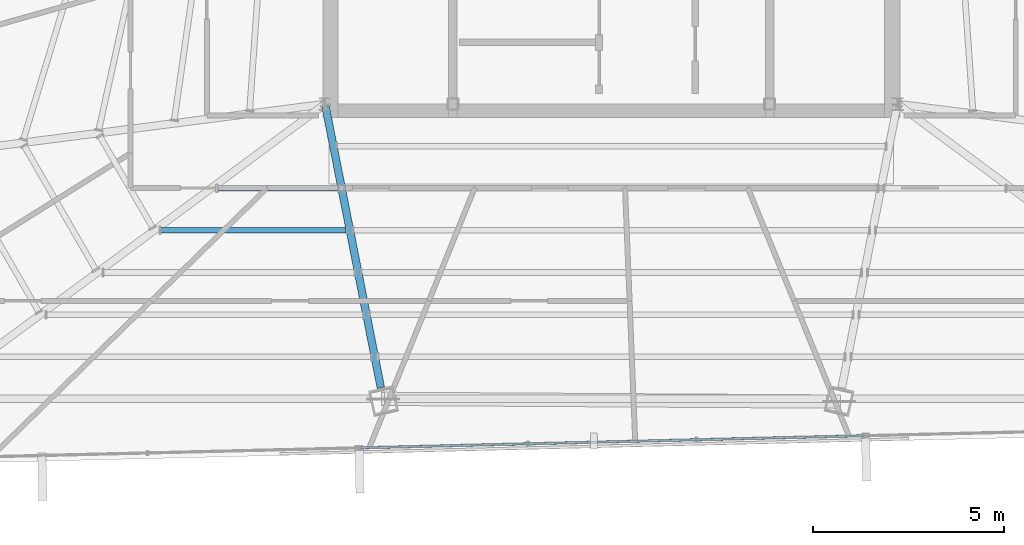
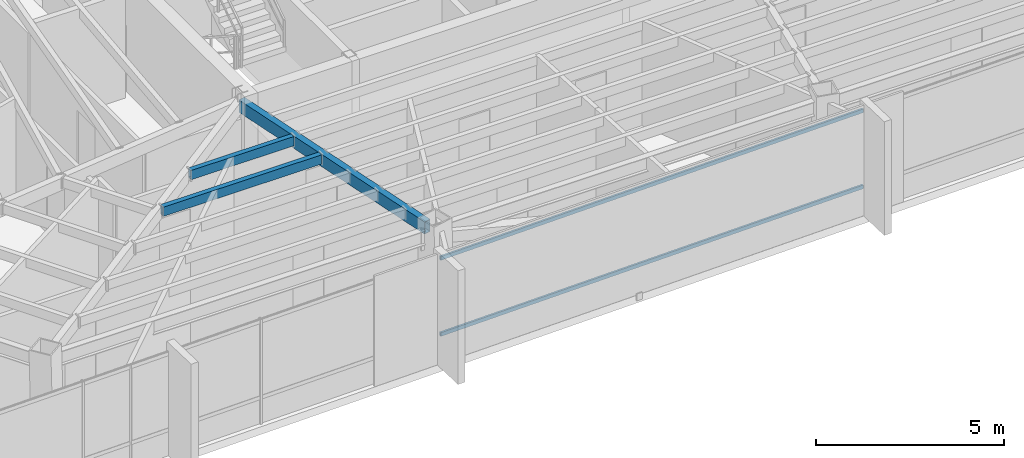
# One storey, part 12 of 48: 3 beams, 2 members, 1 element without a shape of its own.
"""IFC4 building model written with IfcOpenShell, lengths in metres."""

from ifc_helpers import new_model, si_unit, direction, frame, origin, origin_2d, place, context, subcontext, project, spatial, hollow_rectangle, extrude, source, transform, mapped, material, material_profile, profile_set, type_object, type_shapes, element, aggregate, save


model = new_model("IFC4")

# Units and contexts
model_context = context("Model", 3, precision=1e-05, world=origin(), true_north=direction((0.0, 1.0)))
body_context = subcontext(model_context, "Body", "Model", "MODEL_VIEW")
ifc_project = project(units=[si_unit("LENGTHUNIT", "METRE"), si_unit("AREAUNIT", "SQUARE_METRE"), si_unit("VOLUMEUNIT", "CUBIC_METRE"), si_unit("PLANEANGLEUNIT", "RADIAN"), si_unit("MASSUNIT", "GRAM", prefix="KILO")], contexts=[model_context])

# Site, building, storey
site_placement = place(None, origin())
site = spatial("IfcSite", under=ifc_project, at=site_placement, CompositionType="ELEMENT")
building_placement = place(site_placement, origin())
building = spatial("IfcBuilding", under=site, at=building_placement, Name="Caelisora Broadcast Tower", CompositionType="ELEMENT")
storey_placement = place(building_placement, frame((0.0, 0.0, 270.0)))
storey = spatial("IfcBuildingStorey", under=building, at=storey_placement, Name="L71", CompositionType="ELEMENT", Elevation=270.0)

# Beams
ifc_material_1 = material(Name="Steel Grade 350 (AS/NZS 1163 C350L0)", Category="steel")
ifc_material_profile_1 = material_profile(ifc_material_1, hollow_rectangle(XDim=0.199951171875, YDim=0.39990234375, WallThickness=0.012451171875, at=origin_2d()), Name="Steel Grade 350 (AS/NZS 1163 C350L0)")
ifc_profile_set_1 = profile_set([ifc_material_profile_1], Name="Steel Grade 350 (AS/NZS 1163 C350L0)")
beam_type_1 = type_object("IfcBeamType", Name="PG07", PredefinedType="BEAM", material=ifc_profile_set_1)
shared_shape_1 = source(origin(), body_context, "Body", "SweptSolid", [
    extrude(hollow_rectangle(XDim=0.199951171875, YDim=0.39990234375, WallThickness=0.012451171875, at=origin_2d()), origin(), (0.0, 0.0, 1.0), 7.515869140625),
])
type_shapes(beam_type_1, [shared_shape_1])
beam_1_placement = place(storey_placement, frame((30.51171875, 17.341064453125, 3.199951171875), z_axis=(0.192754240095, -0.981247065181, 0.0), x_axis=(0.981247065181, 0.192754240095, 0.0)))
element("IfcBeam", 1, at=beam_1_placement, inside=storey, type_object=beam_type_1, Name="L71 beam PG07", PredefinedType="BEAM", context=body_context, shape_type="MappedRepresentation", body=[
    mapped(shared_shape_1, transform((0.0, 0.0, 0.0), scale=1.0)),
])
ifc_material_profile_2 = material_profile(ifc_material_1, hollow_rectangle(XDim=0.14990234375, YDim=0.300048828125, WallThickness=0.010009765625, at=origin_2d()), Name="Steel Grade 350 (AS/NZS 1163 C350L0)")
ifc_profile_set_2 = profile_set([ifc_material_profile_2], Name="Steel Grade 350 (AS/NZS 1163 C350L0)")
beam_type_2 = type_object("IfcBeamType", Name="SB05", PredefinedType="JOIST", material=ifc_profile_set_2)
shared_shape_2 = source(origin(), body_context, "Body", "SweptSolid", [
    extrude(hollow_rectangle(XDim=0.14990234375, YDim=0.300048828125, WallThickness=0.010009765625, at=origin_2d()), origin(), (0.0, 0.0, 1.0), 3.154052734375),
])
beam_2_placement = place(storey_placement, frame((27.6806640625, 15.1923828125, 3.25), z_axis=(1.0, 0.0, 0.0), x_axis=(0.0, 1.0, 0.0)))
element("IfcBeam", 2, at=beam_2_placement, inside=storey, type_object=beam_type_2, Name="L71 beam SB05", PredefinedType="JOIST", context=body_context, shape_type="MappedRepresentation", body=[
    mapped(shared_shape_2, transform((0.0, 0.0, 0.0), scale=1.0)),
])
shared_shape_3 = source(origin(), body_context, "Body", "SweptSolid", [
    extrude(hollow_rectangle(XDim=0.14990234375, YDim=0.300048828125, WallThickness=0.010009765625, at=origin_2d()), origin(), (0.0, 0.0, 1.0), 4.86328125),
])
type_shapes(beam_type_2, [shared_shape_2, shared_shape_3])
beam_3_placement = place(storey_placement, frame((26.188232421875, 14.088623046875, 3.25), z_axis=(1.0, 0.0, 0.0), x_axis=(0.0, 1.0, 0.0)))
element("IfcBeam", 3, at=beam_3_placement, inside=storey, type_object=beam_type_2, Name="L71 beam SB05", PredefinedType="JOIST", context=body_context, shape_type="MappedRepresentation", body=[
    mapped(shared_shape_3, transform((0.0, 0.0, 0.0), scale=1.0)),
])

# Curtain wall, members
ifc_material_2 = material(Name="Unitised Aluminium Insulated Shadow-Box Spandrel Curtain Wall", Category="aluminium")
curtain_wall_type = type_object("IfcCurtainWallType", Name="CW-SP3", PredefinedType="NOTDEFINED", material=ifc_material_2)
curtain_wall_placement = place(storey_placement, origin())
curtain_wall = element("IfcCurtainWall", 4, at=curtain_wall_placement, inside=storey, type_object=curtain_wall_type, Name="L71 curtain wall CW-SP3", PredefinedType="NOTDEFINED")
ifc_material_3 = material(Name="Aluminium 6063-T6 Anodised Terracotta Bronze", Category="aluminium")
ifc_material_profile_3 = material_profile(ifc_material_3, hollow_rectangle(XDim=0.06005859375, YDim=0.1201171875, WallThickness=0.0029296875, at=origin_2d()), Name="Aluminium 6063-T6 Anodised Terracotta Bronze")
ifc_profile_set_3 = profile_set([ifc_material_profile_3], Name="Aluminium 6063-T6 Anodised Terracotta Bronze")
member_type = type_object("IfcMemberType", Name="CWT-03", PredefinedType="USERDEFINED", material=ifc_profile_set_3)
shared_shape_4 = source(origin(), body_context, "Body", "SweptSolid", [
    extrude(hollow_rectangle(XDim=0.06005859375, YDim=0.1201171875, WallThickness=0.0029296875, at=origin_2d()), origin(), (0.0, 0.0, 1.0), 13.168212890625),
])
type_shapes(member_type, [shared_shape_4])
member_1_placement = place(storey_placement, frame((44.607421875, 8.70703125, 0.85009765625), z_axis=(-0.999711280567, -0.024028223134, 0.0), x_axis=(0.024028223134, -0.999711280567, 0.0)))
member_1 = element("IfcMember", 5, at=member_1_placement, type_object=member_type, Name="L71-CW-B06 transom #1", ObjectType="TRANSOM", PredefinedType="USERDEFINED", context=body_context, shape_type="MappedRepresentation", body=[
    mapped(shared_shape_4, transform((0.0, 0.0, 0.0), scale=1.0)),
])
member_2_placement = place(storey_placement, frame((44.607421875, 8.70703125, 3.320068359375), z_axis=(-0.999711280567, -0.024028223134, 0.0), x_axis=(0.024028223134, -0.999711280567, 0.0)))
member_2 = element("IfcMember", 6, at=member_2_placement, type_object=member_type, Name="L71-CW-B06 transom #2", ObjectType="TRANSOM", PredefinedType="USERDEFINED", context=body_context, shape_type="MappedRepresentation", body=[
    mapped(shared_shape_4, transform((0.0, 0.0, 0.0), scale=1.0)),
])
aggregate(curtain_wall, [member_1, member_2])

save(model, "model.ifc")
